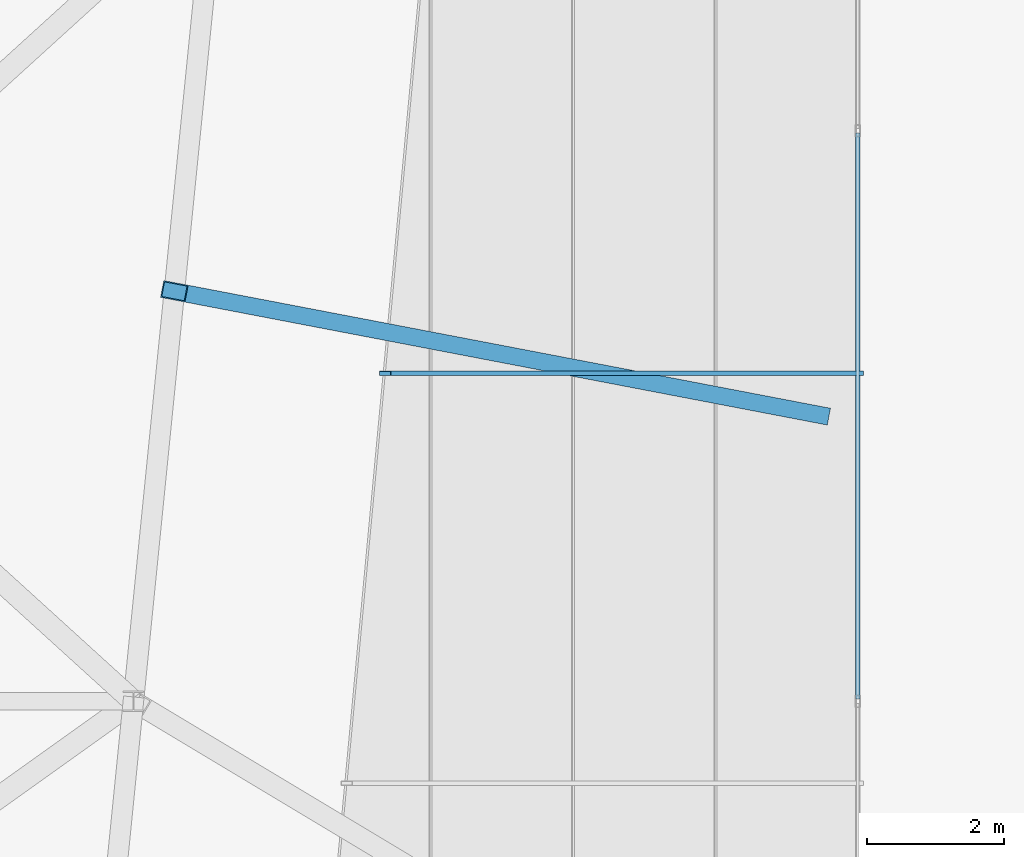
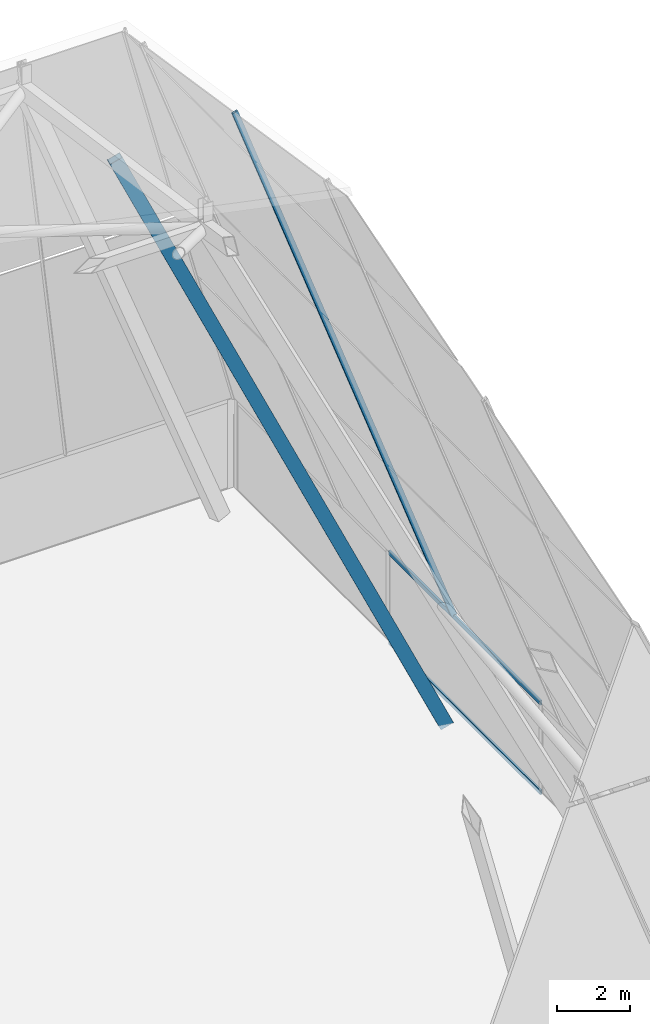
# One storey, part 18 of 32: 4 members, 1 element without a shape of its own.
"""IFC4 building model written with IfcOpenShell, lengths in metres."""

from ifc_helpers import new_model, si_unit, direction, frame, origin, origin_2d, place, context, subcontext, project, spatial, hollow_rectangle, extrude, source, transform, mapped, material, layer, layer_set, material_profile, profile_set, type_object, element, aggregate, save


model = new_model("IFC4")

# Units and contexts
model_context = context("Model", 3, precision=1e-05, world=origin(), true_north=direction((0.0, 1.0)))
body_context = subcontext(model_context, "Body", "Model", "MODEL_VIEW")
ifc_project = project(units=[si_unit("LENGTHUNIT", "METRE"), si_unit("AREAUNIT", "SQUARE_METRE"), si_unit("VOLUMEUNIT", "CUBIC_METRE"), si_unit("PLANEANGLEUNIT", "RADIAN"), si_unit("MASSUNIT", "GRAM", prefix="KILO")], contexts=[model_context])

# Site, building, storey
site_placement = place(None, origin())
site = spatial("IfcSite", under=ifc_project, at=site_placement, CompositionType="ELEMENT")
building_placement = place(site_placement, origin())
building = spatial("IfcBuilding", under=site, at=building_placement, Name="Sumidabori Civic Tower", CompositionType="ELEMENT")
storey_placement = place(building_placement, frame((0.0, 0.0, 298.199951171875)))
storey = spatial("IfcBuildingStorey", under=building, at=storey_placement, Name="RF Roof Crown", CompositionType="ELEMENT", Elevation=298.199951171875)

# Member
ifc_material_1 = material(Name="Steel SN490", Category="steel")
ifc_material_profile_1 = material_profile(ifc_material_1, hollow_rectangle(XDim=0.25, YDim=0.39990234375, WallThickness=0.01611328125, at=origin_2d()), Name="RHS 400x250x16")
ifc_profile_set_1 = profile_set([ifc_material_profile_1], Name="Steel SN490")
member_type_1 = type_object("IfcMemberType", Name="MB-CRN-HIP", PredefinedType="RAFTER", material=ifc_profile_set_1)
shared_shape_1 = source(origin(), body_context, "Body", "SweptSolid", [
    extrude(hollow_rectangle(XDim=0.25, YDim=0.39990234375, WallThickness=0.01611328125, at=origin_2d()), origin(), (0.0, 0.0, 1.0), 23.12353515625),
])
member_1_placement = place(storey_placement, frame((16.0, 10.199951171875, 0.0), z_axis=(-0.406506106355, 0.077844515146, 0.910325775181), x_axis=(-0.188079076941, -0.982153888562, 0.0)))
element("IfcMember", 1, at=member_1_placement, inside=storey, type_object=member_type_1, Name="Crown Structural Rafter RF-CE", PredefinedType="RAFTER", context=body_context, shape_type="MappedRepresentation", body=[
    mapped(shared_shape_1, transform((0.0, 0.0, 0.0), x_axis=(1.0, 0.0, 0.0), y_axis=(0.0, 1.0, 0.0), z_axis=(0.0, 0.0, 1.0), scale=1.0)),
])

# Curtain wall, members
ifc_material_2 = material(Name="Anodised Bronze Aluminium AW-6063-T6", Category="aluminium")
ifc_layer = layer(ifc_material_2, 0.179931640625, Name="Anodised Bronze Aluminium AW-6063-T6")
ifc_layer_set = layer_set([ifc_layer], Name="Anodised Bronze Aluminium AW-6063-T6")
curtain_wall_type = type_object("IfcCurtainWallType", Name="CW-SYS-6", PredefinedType="NOTDEFINED", material=ifc_layer_set)
curtain_wall_placement = place(storey_placement, origin())
curtain_wall = element("IfcCurtainWall", 2, at=curtain_wall_placement, inside=storey, type_object=curtain_wall_type, Name="Glass-Point Crown East Cheek Curtain Wall", PredefinedType="NOTDEFINED")
ifc_material_profile_2 = material_profile(ifc_material_2, hollow_rectangle(XDim=0.06494140625, YDim=0.14990234375, WallThickness=0.0048828125, at=origin_2d()), Name="ALU TRANSOM 150x65")
ifc_profile_set_2 = profile_set([ifc_material_profile_2], Name="Anodised Bronze Aluminium AW-6063-T6")
member_type_2 = type_object("IfcMemberType", Name="CW-TRN-150", PredefinedType="USERDEFINED", material=ifc_profile_set_2)
shared_shape_2 = source(origin(), body_context, "Body", "SweptSolid", [
    extrude(hollow_rectangle(XDim=0.06494140625, YDim=0.14990234375, WallThickness=0.0048828125, at=origin_2d()), origin(), (0.0, 0.0, 1.0), 8.280029296875),
])
member_2_placement = place(storey_placement, frame((16.60009765625, 6.034912109375, 0.032470703125), z_axis=(0.0, 1.0, 0.0), x_axis=(-1.0, 0.0, 0.0)))
member_2 = element("IfcMember", 3, at=member_2_placement, type_object=member_type_2, Name="CW-6 transom 3.1", ObjectType="TRANSOM", PredefinedType="USERDEFINED", context=body_context, shape_type="MappedRepresentation", body=[
    mapped(shared_shape_2, transform((0.0, 0.0, 0.0), x_axis=(1.0, 0.0, 0.0), y_axis=(0.0, 1.0, 0.0), z_axis=(0.0, 0.0, 1.0), scale=1.0)),
])
member_3_placement = place(storey_placement, frame((16.60009765625, 6.034912109375, 3.017578125), z_axis=(0.0, 1.0, 0.0), x_axis=(-1.0, 0.0, 0.0)))
member_3 = element("IfcMember", 4, at=member_3_placement, type_object=member_type_2, Name="CW-6 transom 3.2", ObjectType="TRANSOM", PredefinedType="USERDEFINED", context=body_context, shape_type="MappedRepresentation", body=[
    mapped(shared_shape_2, transform((0.0, 0.0, 0.0), x_axis=(1.0, 0.0, 0.0), y_axis=(0.0, 1.0, 0.0), z_axis=(0.0, 0.0, 1.0), scale=1.0)),
])
ifc_material_profile_3 = material_profile(ifc_material_2, hollow_rectangle(XDim=0.070068359375, YDim=0.179931640625, WallThickness=0.006103515625, at=origin_2d()), Name="ALU MULLION 180x70")
ifc_profile_set_3 = profile_set([ifc_material_profile_3], Name="Anodised Bronze Aluminium AW-6063-T6")
member_type_3 = type_object("IfcMemberType", Name="CW-MUL-180", PredefinedType="MULLION", material=ifc_profile_set_3)
shared_shape_3 = source(origin(), body_context, "Body", "SweptSolid", [
    extrude(hollow_rectangle(XDim=0.070068359375, YDim=0.179931640625, WallThickness=0.006103515625, at=origin_2d()), origin(), (0.0, 0.0, 1.0), 20.4189453125),
])
member_4_placement = place(storey_placement, frame((16.60009765625, 10.800048828125, 3.050048828125), z_axis=(-0.338728782841, 0.0, 0.940884058572), x_axis=(0.0, -1.0, 0.0)))
member_4 = element("IfcMember", 5, at=member_4_placement, type_object=member_type_3, Name="Crown East Cheek Sloped Mullion M3", PredefinedType="MULLION", context=body_context, shape_type="MappedRepresentation", body=[
    mapped(shared_shape_3, transform((0.0, 0.0, 0.0), x_axis=(1.0, 0.0, 0.0), y_axis=(0.0, 1.0, 0.0), z_axis=(0.0, 0.0, 1.0), scale=1.0)),
])
aggregate(curtain_wall, [member_2, member_3, member_4])

save(model, "model.ifc")
